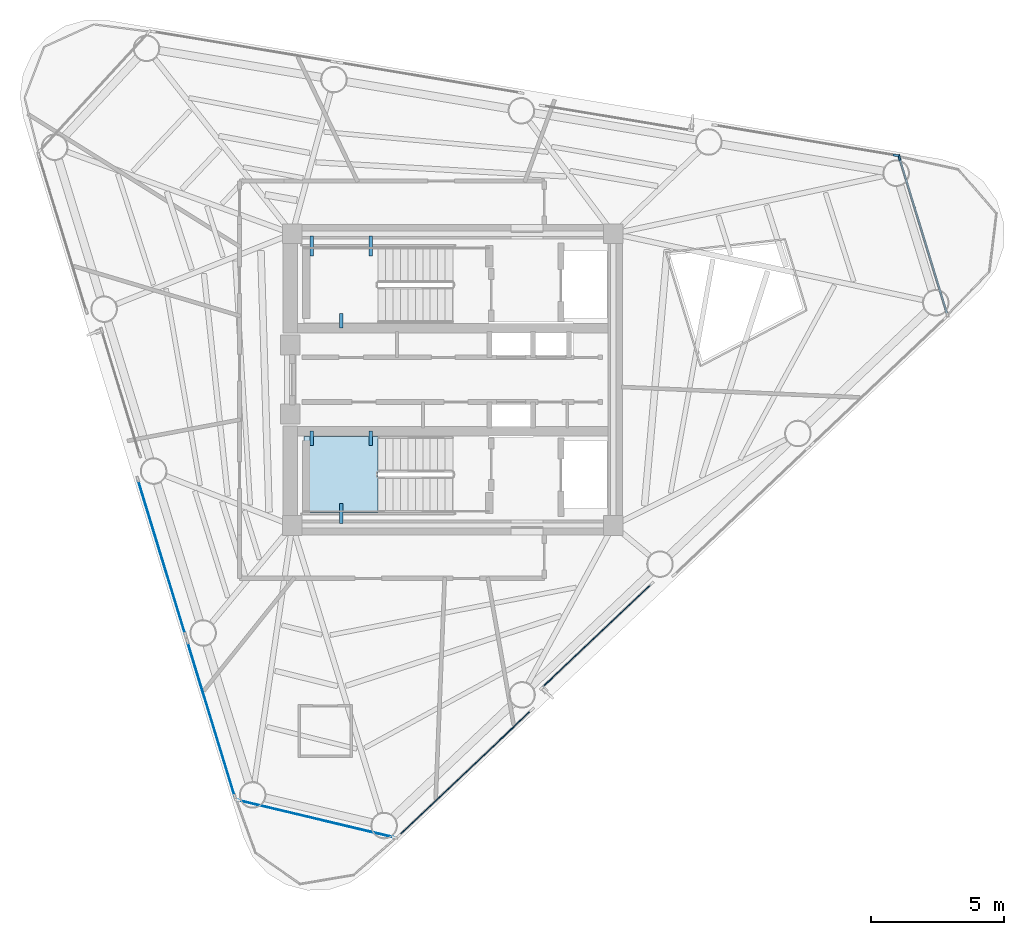
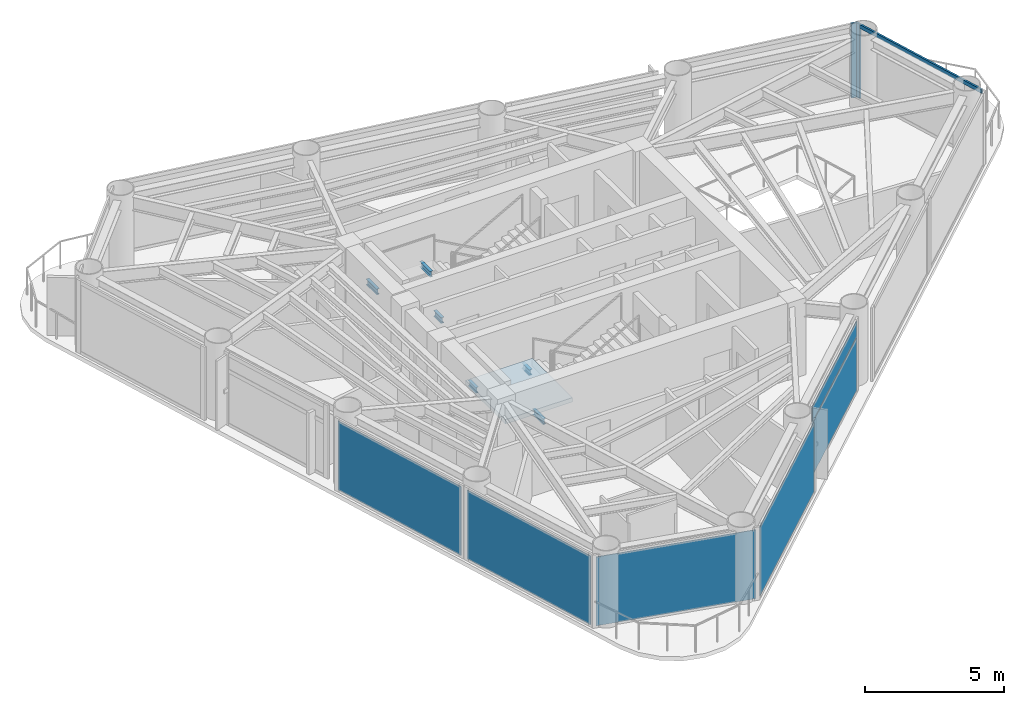
# One storey, part 4 of 9: 6 beams, 6 plates, 3 members, 1 slab, 8 elements without a shape of their own.
"""IFC4 building model written with IfcOpenShell, lengths in metres."""

from ifc_helpers import new_model, si_unit, direction, frame, origin, origin_2d, place, context, subcontext, project, spatial, polyline, rectangle, i_section, outline, extrude, source, transform, mapped, material, layer, layer_set, material_profile, profile_set, type_object, element, aggregate, save


model = new_model("IFC4")

# Units and contexts
model_context = context("Model", 3, precision=1e-05, world=origin(), true_north=direction((0.0, 1.0)))
body_context = subcontext(model_context, "Body", "Model", "MODEL_VIEW")
ifc_project = project(units=[si_unit("LENGTHUNIT", "METRE"), si_unit("AREAUNIT", "SQUARE_METRE"), si_unit("VOLUMEUNIT", "CUBIC_METRE"), si_unit("PLANEANGLEUNIT", "RADIAN"), si_unit("MASSUNIT", "GRAM", prefix="KILO")], contexts=[model_context])

# Site, building, storey
site_placement = place(None, origin())
site = spatial("IfcSite", under=ifc_project, at=site_placement, CompositionType="ELEMENT")
building_placement = place(site_placement, origin())
building = spatial("IfcBuilding", under=site, at=building_placement, Name="Yunling Apex Tower", CompositionType="ELEMENT")
storey_placement = place(building_placement, frame((0.0, 0.0, 249.050048828125)))
storey = spatial("IfcBuildingStorey", under=building, at=storey_placement, Name="L61", CompositionType="ELEMENT", Elevation=249.050048828125)

# Beams
ifc_material_1 = material(Name="Steel Q355B", Category="steel")
ifc_material_profile_1 = material_profile(ifc_material_1, i_section(OverallWidth=0.125, OverallDepth=0.25, WebThickness=0.006103515625, FlangeThickness=0.009033203125, FilletRadius=0.011962890625, at=origin_2d()))
ifc_profile_set_1 = profile_set([ifc_material_profile_1], Name="Steel Q355B")
beam_type = type_object("IfcBeamType", Name="BL-LNT-1", PredefinedType="LINTEL", material=ifc_profile_set_1)
shared_shape_1 = source(origin(), body_context, "Body", "SweptSolid", [
    extrude(i_section(OverallWidth=0.125, OverallDepth=0.25, WebThickness=0.006103515625, FlangeThickness=0.009033203125, FilletRadius=0.011962890625, at=origin_2d()), origin(), (0.0, 0.0, 1.0), 0.760009765625),
])
for number, where, z_axis, x_axis, name in (
    (1, (-5.320068359375, 5.419921875, 1.3798828125), (0.0, -1.0, 0.0), (1.0, 0.0, 0.0), "L61 ST-1 Landing Bearing Corbel 1-1"),
    (2, (-3.090087890625, 5.419921875, 1.3798828125), (0.0, -1.0, 0.0), (1.0, 0.0, 0.0), "L61 ST-1 Landing Bearing Corbel 1-2"),
    (3, (-4.205078125, -5.419921875, 1.3798828125), (0.0, 1.0, 0.0), (-1.0, 0.0, 0.0), "L61 ST-2 Landing Bearing Corbel 1-3"),
):
    element("IfcBeam", number, at=place(storey_placement, frame(where, z_axis=z_axis, x_axis=x_axis)), inside=storey, type_object=beam_type, Name=name, PredefinedType="LINTEL", context=body_context, shape_type="MappedRepresentation", body=[
        mapped(shared_shape_1, transform((0.0, 0.0, 0.0), scale=1.0)),
    ])
shared_shape_2 = source(origin(), body_context, "Body", "SweptSolid", [
    extrude(i_section(OverallWidth=0.125, OverallDepth=0.25, WebThickness=0.006103515625, FlangeThickness=0.009033203125, FilletRadius=0.011962890625, at=origin_2d()), origin(), (0.0, 0.0, 1.0), 0.550048828125),
])
for number, where, z_axis, x_axis, name in (
    (4, (-4.205078125, 1.93994140625, 1.3798828125), (0.0, 1.0, 0.0), (-1.0, 0.0, 0.0), "L61 ST-1 Landing Bearing Corbel 1-3"),
    (5, (-5.320068359375, -1.93994140625, 1.3798828125), (0.0, -1.0, 0.0), (1.0, 0.0, 0.0), "L61 ST-2 Landing Bearing Corbel 1-1"),
    (6, (-3.090087890625, -1.93994140625, 1.3798828125), (0.0, -1.0, 0.0), (1.0, 0.0, 0.0), "L61 ST-2 Landing Bearing Corbel 1-2"),
):
    element("IfcBeam", number, at=place(storey_placement, frame(where, z_axis=z_axis, x_axis=x_axis)), inside=storey, type_object=beam_type, Name=name, PredefinedType="LINTEL", context=body_context, shape_type="MappedRepresentation", body=[
        mapped(shared_shape_2, transform((0.0, 0.0, 0.0), scale=1.0)),
    ])

# Curtain wall, members
ifc_material_2 = material(Name="Bronze anodised aluminium", Category="aluminium")
ifc_layer_1 = layer(ifc_material_2, 0.219970703125)
ifc_layer_set_1 = layer_set([ifc_layer_1], Name="Bronze anodised aluminium")
curtain_wall_type = type_object("IfcCurtainWallType", Name="CW-SYS-4", PredefinedType="NOTDEFINED", material=ifc_layer_set_1)
curtain_wall_1_placement = place(storey_placement, origin())
curtain_wall_1 = element("IfcCurtainWall", 7, at=curtain_wall_1_placement, inside=storey, type_object=curtain_wall_type, Name="CW-L61-CRN1", PredefinedType="NOTDEFINED")
ifc_material_profile_2 = material_profile(ifc_material_2, rectangle(XDim=0.080078125, YDim=0.169921875, at=origin_2d()))
ifc_profile_set_2 = profile_set([ifc_material_profile_2], Name="Bronze anodised aluminium")
member_type_1 = type_object("IfcMemberType", Name="CW-TRN-4", PredefinedType="USERDEFINED", material=ifc_profile_set_2)
shared_shape_3 = source(origin(), body_context, "Body", "SweptSolid", [
    extrude(rectangle(XDim=0.080078125, YDim=0.169921875, at=origin_2d()), origin(), (0.0, 0.0, 1.0), 6.100830078125),
])
member_1_placement = place(storey_placement, frame((18.623291015625, 2.50390625, 3.139892578125), z_axis=(-0.292370017789, 0.956305271709, 0.0), x_axis=(-0.956305271709, -0.292370017789, 0.0)))
member_1 = element("IfcMember", 8, at=member_1_placement, type_object=member_type_1, Name="CW-SYS-4 transom 1.2", ObjectType="TRANSOM", PredefinedType="USERDEFINED", context=body_context, shape_type="MappedRepresentation", body=[
    mapped(shared_shape_3, transform((0.0, 0.0, 0.0), scale=1.0)),
])
ifc_material_profile_3 = material_profile(ifc_material_2, rectangle(XDim=0.080078125, YDim=0.219970703125, at=origin_2d()))
ifc_profile_set_3 = profile_set([ifc_material_profile_3], Name="Bronze anodised aluminium")
member_type_2 = type_object("IfcMemberType", Name="CW-MUL-4", PredefinedType="MULLION", material=ifc_profile_set_3)
shared_shape_4 = source(origin(), body_context, "Body", "SweptSolid", [
    extrude(rectangle(XDim=0.080078125, YDim=0.219970703125, at=origin_2d()), origin(), (0.0, 0.0, 1.0), 3.280029296875),
])
member_2_placement = place(storey_placement, frame((16.8291015625, 8.37255859375, -0.050048828125), z_axis=(0.0, 0.0, 1.0), x_axis=(-0.956305498685, -0.292369275379, 0.0)))
member_2 = element("IfcMember", 9, at=member_2_placement, type_object=member_type_2, Name="CW-SYS-4 mullion 2", PredefinedType="MULLION", context=body_context, shape_type="MappedRepresentation", body=[
    mapped(shared_shape_4, transform((0.0, 0.0, 0.0), scale=1.0)),
])
aggregate(curtain_wall_1, [member_2, member_1])

# Curtain wall, member
curtain_wall_2_placement = place(storey_placement, origin())
curtain_wall_2 = element("IfcCurtainWall", 10, at=curtain_wall_2_placement, inside=storey, type_object=curtain_wall_type, Name="CW-L61-F2-B1", PredefinedType="NOTDEFINED")
member_3_placement = place(storey_placement, frame((16.702392578125, 8.4501953125, -0.050048828125), z_axis=(0.0, 0.0, 1.0), x_axis=(-0.164352664392, -0.9864016432, 0.0)))
member_3 = element("IfcMember", 11, at=member_3_placement, type_object=member_type_2, Name="CW-SYS-4 mullion 1", PredefinedType="MULLION", context=body_context, shape_type="MappedRepresentation", body=[
    mapped(shared_shape_4, transform((0.0, 0.0, 0.0), scale=1.0)),
])
aggregate(curtain_wall_2, [member_3])

# Stair, slab
ifc_material_3 = material(Name="Concrete C40", Category="concrete")
stair_type = type_object("IfcStairType", Name="ST-TWR-3", PredefinedType="HALF_TURN_STAIR", material=ifc_material_3)
stair_placement = place(storey_placement, origin())
stair = element("IfcStair", 12, at=stair_placement, inside=storey, type_object=stair_type, Name="L61 South Core Smokeproof Exit Stair ST-2", PredefinedType="HALF_TURN_STAIR")
ifc_layer_2 = layer(ifc_material_3, 0.195068359375)
ifc_layer_set_2 = layer_set([ifc_layer_2], Name="Concrete C40")
slab_type = type_object("IfcSlabType", Name="SL-LND-1", PredefinedType="LANDING", material=ifc_layer_set_2)
slab_placement = place(storey_placement, frame((0.0, 0.0, 1.5048828125)))
slab = element("IfcSlab", 13, at=slab_placement, type_object=slab_type, Name="ST-2 landing 1", PredefinedType="LANDING", context=body_context, shape_type="SweptSolid", body=[
    extrude(outline(polyline([(-2.81005859375, -2.139892578125), (-5.60009765625, -2.139892578125), (-5.60009765625, -5.010009765625), (-2.81005859375, -5.010009765625), (-2.81005859375, -2.139892578125)])), origin(), (0.0, 0.0, 1.0), 0.195068359375),
])
aggregate(stair, [slab])

# Curtain wall, plate
curtain_wall_3_placement = place(storey_placement, origin())
curtain_wall_3 = element("IfcCurtainWall", 14, at=curtain_wall_3_placement, inside=storey, type_object=curtain_wall_type, Name="CW-L61-F1-B1", PredefinedType="NOTDEFINED")
ifc_material_4 = material(Name="Bronze tinted low-E glass", Category="glass")
ifc_layer_3 = layer(ifc_material_4, 0.030029296875)
ifc_layer_set_3 = layer_set([ifc_layer_3], Name="Bronze tinted low-E glass")
plate_type = type_object("IfcPlateType", Name="CW-PNL-4", PredefinedType="CURTAIN_PANEL", material=ifc_layer_set_3)
shared_shape_5 = source(origin(), body_context, "Body", "SweptSolid", [
    extrude(rectangle(XDim=6.857421875, YDim=0.030029296875, at=origin_2d()), origin(), (0.0, 0.0, 1.0), 3.035888671875),
])
plate_1_placement = place(storey_placement, frame((0.4658203125, -14.823974609375, 0.07177734375), z_axis=(0.0, 0.0, 1.0), x_axis=(0.72585471909, 0.687848040467, 0.0)))
plate_1 = element("IfcPlate", 15, at=plate_1_placement, type_object=plate_type, Name="CW-SYS-4 panel 1.1", PredefinedType="CURTAIN_PANEL", context=body_context, shape_type="MappedRepresentation", body=[
    mapped(shared_shape_5, transform((0.0, 0.0, 0.0), scale=1.0)),
])
aggregate(curtain_wall_3, [plate_1])

# Curtain wall, plates
curtain_wall_4_placement = place(storey_placement, origin())
curtain_wall_4 = element("IfcCurtainWall", 16, at=curtain_wall_4_placement, inside=storey, type_object=curtain_wall_type, Name="CW-L61-F1-B2", PredefinedType="NOTDEFINED")
shared_shape_6 = source(origin(), body_context, "Body", "SweptSolid", [
    extrude(rectangle(XDim=5.617431640625, YDim=0.030029296875, at=origin_2d()), origin(), (0.0, 0.0, 1.0), 2.312744140625),
])
plate_2_placement = place(storey_placement, frame((5.429931640625, -9.651123046875, 0.07177734375), z_axis=(0.0, 0.0, 1.0), x_axis=(0.725848686167, 0.687854406681, 0.0)))
plate_2 = element("IfcPlate", 17, at=plate_2_placement, type_object=plate_type, Name="CW-SYS-4 panel 1.1", PredefinedType="CURTAIN_PANEL", context=body_context, shape_type="MappedRepresentation", body=[
    mapped(shared_shape_6, transform((0.0, 0.0, 0.0), scale=1.0)),
])
shared_shape_7 = source(origin(), body_context, "Body", "SweptSolid", [
    extrude(rectangle(XDim=5.617431640625, YDim=0.030029296875, at=origin_2d()), origin(), (0.0, 0.0, 1.0), 0.6591796875),
])
plate_3_placement = place(storey_placement, frame((5.429931640625, -9.651123046875, 2.44873046875), z_axis=(0.0, 0.0, 1.0), x_axis=(0.725848686167, 0.687854406681, 0.0)))
plate_3 = element("IfcPlate", 18, at=plate_3_placement, type_object=plate_type, Name="CW-SYS-4 panel 1.2", PredefinedType="CURTAIN_PANEL", context=body_context, shape_type="MappedRepresentation", body=[
    mapped(shared_shape_7, transform((0.0, 0.0, 0.0), scale=1.0)),
])
aggregate(curtain_wall_4, [plate_2, plate_3])

# Curtain wall, plate
curtain_wall_5_placement = place(storey_placement, origin())
curtain_wall_5 = element("IfcCurtainWall", 19, at=curtain_wall_5_placement, inside=storey, type_object=curtain_wall_type, Name="CW-L61-F3-B3", PredefinedType="NOTDEFINED")
shared_shape_8 = source(origin(), body_context, "Body", "SweptSolid", [
    extrude(rectangle(XDim=6.077880859375, YDim=0.030029296875, at=origin_2d()), origin(), (0.0, 0.0, 1.0), 3.035888671875),
])
plate_4_placement = place(storey_placement, frame((-10.973876953125, -6.69189453125, 0.07177734375), z_axis=(0.0, 0.0, 1.0), x_axis=(0.29237206414, -0.956304646078, 0.0)))
plate_4 = element("IfcPlate", 20, at=plate_4_placement, type_object=plate_type, Name="CW-SYS-4 panel 1.1", PredefinedType="CURTAIN_PANEL", context=body_context, shape_type="MappedRepresentation", body=[
    mapped(shared_shape_8, transform((0.0, 0.0, 0.0), scale=1.0)),
])
aggregate(curtain_wall_5, [plate_4])

curtain_wall_6_placement = place(storey_placement, origin())
curtain_wall_6 = element("IfcCurtainWall", 21, at=curtain_wall_6_placement, inside=storey, type_object=curtain_wall_type, Name="CW-L61-F3-B4", PredefinedType="NOTDEFINED")
plate_5_placement = place(storey_placement, frame((-9.108154296875, -12.794921875, 0.07177734375), z_axis=(0.0, 0.0, 1.0), x_axis=(0.29237206414, -0.956304646078, 0.0)))
plate_5 = element("IfcPlate", 22, at=plate_5_placement, type_object=plate_type, Name="CW-SYS-4 panel 1.1", PredefinedType="CURTAIN_PANEL", context=body_context, shape_type="MappedRepresentation", body=[
    mapped(shared_shape_8, transform((0.0, 0.0, 0.0), scale=1.0)),
])
aggregate(curtain_wall_6, [plate_5])

curtain_wall_7_placement = place(storey_placement, origin())
curtain_wall_7 = element("IfcCurtainWall", 23, at=curtain_wall_7_placement, inside=storey, type_object=curtain_wall_type, Name="CW-L61-CRN3", PredefinedType="NOTDEFINED")
shared_shape_9 = source(origin(), body_context, "Body", "SweptSolid", [
    extrude(rectangle(XDim=6.032958984375, YDim=0.030029296875, at=origin_2d()), origin(), (0.0, 0.0, 1.0), 3.035888671875),
])
plate_6_placement = place(storey_placement, frame((-5.151611328125, -16.556396484375, 0.07177734375), z_axis=(0.0, 0.0, 1.0), x_axis=(0.97276120775, -0.231809474992, 0.0)))
plate_6 = element("IfcPlate", 24, at=plate_6_placement, type_object=plate_type, Name="CW-SYS-4 panel 1.1", PredefinedType="CURTAIN_PANEL", context=body_context, shape_type="MappedRepresentation", body=[
    mapped(shared_shape_9, transform((0.0, 0.0, 0.0), scale=1.0)),
])
aggregate(curtain_wall_7, [plate_6])

save(model, "model.ifc")
